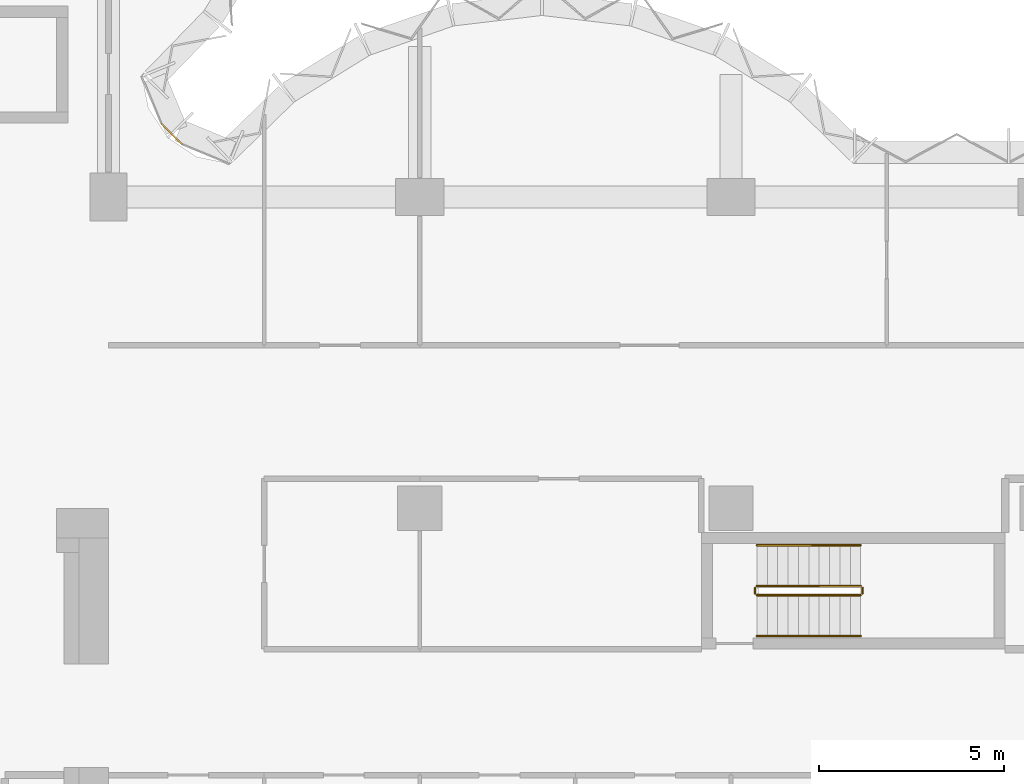
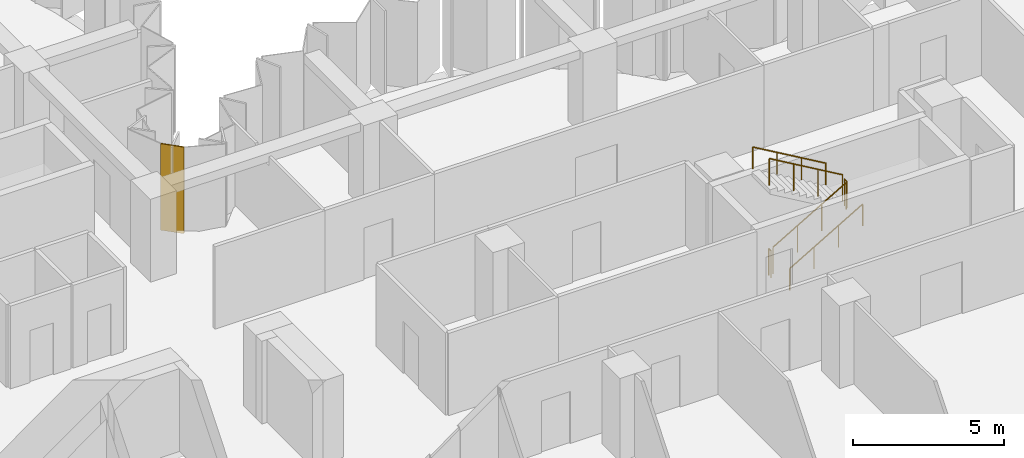
# One storey, part 13 of 13: 6 railings, 1 covering, 1 element without a shape of its own.
"""IFC4 building model written with IfcOpenShell, lengths in metres."""

from ifc_helpers import new_model, si_unit, direction, frame, origin, origin_2d, place, context, subcontext, project, spatial, polyline, circle, outline, extrude, material, layer, layer_set, type_object, element, aggregate, save


model = new_model("IFC4")

# Units and contexts
model_context = context("Model", 3, precision=1e-05, world=origin(), true_north=direction((0.0, 1.0)))
body_context = subcontext(model_context, "Body", "Model", "MODEL_VIEW")
ifc_project = project(units=[si_unit("LENGTHUNIT", "METRE"), si_unit("AREAUNIT", "SQUARE_METRE"), si_unit("VOLUMEUNIT", "CUBIC_METRE"), si_unit("PLANEANGLEUNIT", "RADIAN"), si_unit("MASSUNIT", "GRAM", prefix="KILO")], contexts=[model_context])

# Site, building, storey
site_placement = place(None, origin())
site = spatial("IfcSite", under=ifc_project, at=site_placement, CompositionType="ELEMENT")
building_placement = place(site_placement, origin())
building = spatial("IfcBuilding", under=site, at=building_placement, Name="Brevane Broadcast Tower", CompositionType="ELEMENT")
storey_placement = place(building_placement, frame((0.0, 0.0, 124.10009765625)))
storey = spatial("IfcBuildingStorey", under=building, at=storey_placement, Name="L30", CompositionType="ELEMENT", Elevation=124.10009765625)

# Railings
ifc_material_1 = material(Name="Steel S355", Category="steel")
railing_type_1 = type_object("IfcRailingType", Name="Exit stair guard", PredefinedType="GUARDRAIL", material=ifc_material_1)
railing_1_placement = place(storey_placement, frame((42.699951171875, 14.449951171875, 0.16357421875)))
element("IfcRailing", 1, at=railing_1_placement, inside=storey, type_object=railing_type_1, Name="L30 ST-4 stair guard 1", PredefinedType="GUARDRAIL", context=body_context, shape_type="SweptSolid", body=[
    extrude(circle(Radius=0.02392578125, at=origin_2d()), frame((0.0, 0.0, 1.076171875), z_axis=(0.863393664356, 0.0, 0.504530851732), x_axis=(0.0, 1.0, 0.0)), (0.0, 0.0, 1.0), 3.2431640625),
    extrude(circle(Radius=0.02099609375, at=origin_2d()), origin(), (0.0, 0.0, 1.0), 1.052001953125),
    extrude(circle(Radius=0.02099609375, at=origin_2d()), frame((0.933349609375, 0.0, 0.54541015625)), (0.0, 0.0, 1.0), 1.052001953125),
    extrude(circle(Radius=0.02099609375, at=origin_2d()), frame((1.86669921875, 0.0, 1.0908203125)), (0.0, 0.0, 1.0), 1.052001953125),
    extrude(circle(Radius=0.02099609375, at=origin_2d()), frame((2.800048828125, 0.0, 1.63623046875)), (0.0, 0.0, 1.0), 1.052001953125),
])
railing_2_placement = place(storey_placement, frame((45.550048828125, 14.5, 1.7998046875)))
element("IfcRailing", 2, at=railing_2_placement, inside=storey, type_object=railing_type_1, Name="L30 ST-4 stair guard 2", PredefinedType="GUARDRAIL", context=body_context, shape_type="SweptSolid", body=[
    extrude(circle(Radius=0.02392578125, at=origin_2d()), frame((0.0, 0.0, 1.076171875), z_axis=(0.0, 1.0, 0.0), x_axis=(-1.0, 0.0, 0.0)), (0.0, 0.0, 1.0), 0.14990234375),
    extrude(circle(Radius=0.02099609375, at=origin_2d()), origin(), (0.0, 0.0, 1.0), 1.052001953125),
    extrude(circle(Radius=0.02099609375, at=origin_2d()), frame((0.0, 0.14990234375, 0.0)), (0.0, 0.0, 1.0), 1.052001953125),
])
railing_3_placement = place(storey_placement, frame((45.5, 14.699951171875, 1.963623046875)))
element("IfcRailing", 3, at=railing_3_placement, inside=storey, type_object=railing_type_1, Name="L30 ST-4 stair guard 3", PredefinedType="GUARDRAIL", context=body_context, shape_type="SweptSolid", body=[
    extrude(circle(Radius=0.02392578125, at=origin_2d()), frame((0.0, 0.0, 1.076171875), z_axis=(-0.863393664356, 0.0, 0.504530851732), x_axis=(0.0, -1.0, 0.0)), (0.0, 0.0, 1.0), 3.2431640625),
    extrude(circle(Radius=0.02099609375, at=origin_2d()), origin(), (0.0, 0.0, 1.0), 1.052001953125),
    extrude(circle(Radius=0.02099609375, at=origin_2d()), frame((-0.933349609375, 0.0, 0.54541015625)), (0.0, 0.0, 1.0), 1.052001953125),
    extrude(circle(Radius=0.02099609375, at=origin_2d()), frame((-1.86669921875, 0.0, 1.0908203125)), (0.0, 0.0, 1.0), 1.052001953125),
    extrude(circle(Radius=0.02099609375, at=origin_2d()), frame((-2.800048828125, 0.0, 1.63623046875)), (0.0, 0.0, 1.0), 1.052001953125),
])
railing_4_placement = place(storey_placement, frame((42.64990234375, 14.5, 0.0)))
element("IfcRailing", 4, at=railing_4_placement, inside=storey, type_object=railing_type_1, Name="L30 ST-4 stair guard 4", PredefinedType="GUARDRAIL", context=body_context, shape_type="SweptSolid", body=[
    extrude(circle(Radius=0.02392578125, at=origin_2d()), frame((0.0, 0.0, 1.076171875), z_axis=(0.0, 1.0, 0.0), x_axis=(-1.0, 0.0, 0.0)), (0.0, 0.0, 1.0), 0.14990234375),
    extrude(circle(Radius=0.02099609375, at=origin_2d()), origin(), (0.0, 0.0, 1.0), 1.052001953125),
    extrude(circle(Radius=0.02099609375, at=origin_2d()), frame((0.0, 0.14990234375, 0.0)), (0.0, 0.0, 1.0), 1.052001953125),
])
railing_type_2 = type_object("IfcRailingType", Name="Exit stair handrail", PredefinedType="HANDRAIL", material=ifc_material_1)
railing_5_placement = place(storey_placement, frame((42.699951171875, 13.35009765625, 0.16357421875)))
element("IfcRailing", 5, at=railing_5_placement, inside=storey, type_object=railing_type_2, Name="L30 ST-4 stair handrail 1", PredefinedType="HANDRAIL", context=body_context, shape_type="SweptSolid", body=[
    extrude(circle(Radius=0.02392578125, at=origin_2d()), frame((0.0, 0.0, 0.8759765625), z_axis=(0.863393664356, 0.0, 0.504530851732), x_axis=(0.0, 1.0, 0.0)), (0.0, 0.0, 1.0), 3.2431640625),
    extrude(circle(Radius=0.02099609375, at=origin_2d()), origin(), (0.0, 0.0, 1.0), 0.851806640625),
    extrude(circle(Radius=0.02099609375, at=origin_2d()), frame((0.933349609375, 0.0, 0.54541015625)), (0.0, 0.0, 1.0), 0.851806640625),
    extrude(circle(Radius=0.02099609375, at=origin_2d()), frame((1.86669921875, 0.0, 1.0908203125)), (0.0, 0.0, 1.0), 0.851806640625),
    extrude(circle(Radius=0.02099609375, at=origin_2d()), frame((2.800048828125, 0.0, 1.63623046875)), (0.0, 0.0, 1.0), 0.851806640625),
])
railing_6_placement = place(storey_placement, frame((45.5, 15.800048828125, 1.963623046875)))
element("IfcRailing", 6, at=railing_6_placement, inside=storey, type_object=railing_type_2, Name="L30 ST-4 stair handrail 2", PredefinedType="HANDRAIL", context=body_context, shape_type="SweptSolid", body=[
    extrude(circle(Radius=0.02392578125, at=origin_2d()), frame((0.0, 0.0, 0.8759765625), z_axis=(-0.863393664356, 0.0, 0.504530851732), x_axis=(0.0, -1.0, 0.0)), (0.0, 0.0, 1.0), 3.2431640625),
    extrude(circle(Radius=0.02099609375, at=origin_2d()), origin(), (0.0, 0.0, 1.0), 0.851806640625),
    extrude(circle(Radius=0.02099609375, at=origin_2d()), frame((-0.933349609375, 0.0, 0.54541015625)), (0.0, 0.0, 1.0), 0.851806640625),
    extrude(circle(Radius=0.02099609375, at=origin_2d()), frame((-1.86669921875, 0.0, 1.0908203125)), (0.0, 0.0, 1.0), 0.851806640625),
    extrude(circle(Radius=0.02099609375, at=origin_2d()), frame((-2.800048828125, 0.0, 1.63623046875)), (0.0, 0.0, 1.0), 0.851806640625),
])

# Curtain wall, covering
ifc_material_2 = material(Name="Aluminium 6063-T6 bronze anodised", Category="aluminium")
curtain_wall_type = type_object("IfcCurtainWallType", Name="CW-1 curtain wall", PredefinedType="NOTDEFINED", material=ifc_material_2)
curtain_wall_placement = place(storey_placement, origin())
curtain_wall = element("IfcCurtainWall", 7, at=curtain_wall_placement, inside=storey, type_object=curtain_wall_type, Name="CW-1 typical tilted unit L30 inner corner", PredefinedType="NOTDEFINED")
ifc_material_3 = material(Name="Back-painted bronze glass shadow-box", Category="glass")
ifc_layer = layer(ifc_material_3, 0.0400390625)
ifc_layer_set = layer_set([ifc_layer], Name="Shadow-box panel 40")
covering_type = type_object("IfcCoveringType", Name="Shadow-box panel 40", PredefinedType="CLADDING", material=ifc_layer_set)
covering_placement = place(storey_placement, frame((0.0, 0.0, -0.150146484375)))
covering = element("IfcCovering", 8, at=covering_placement, type_object=covering_type, Name="Closure panel", PredefinedType="CLADDING", context=body_context, shape_type="SweptSolid", body=[
    extrude(outline(polyline([(27.17138671875, 26.60498046875), (27.2021484375, 26.635498046875), (26.635498046875, 27.2021484375), (26.60498046875, 27.17138671875), (27.17138671875, 26.60498046875)])), origin(), (0.0, 0.0, 1.0), 3.5),
])
aggregate(curtain_wall, [covering])

save(model, "model.ifc")
